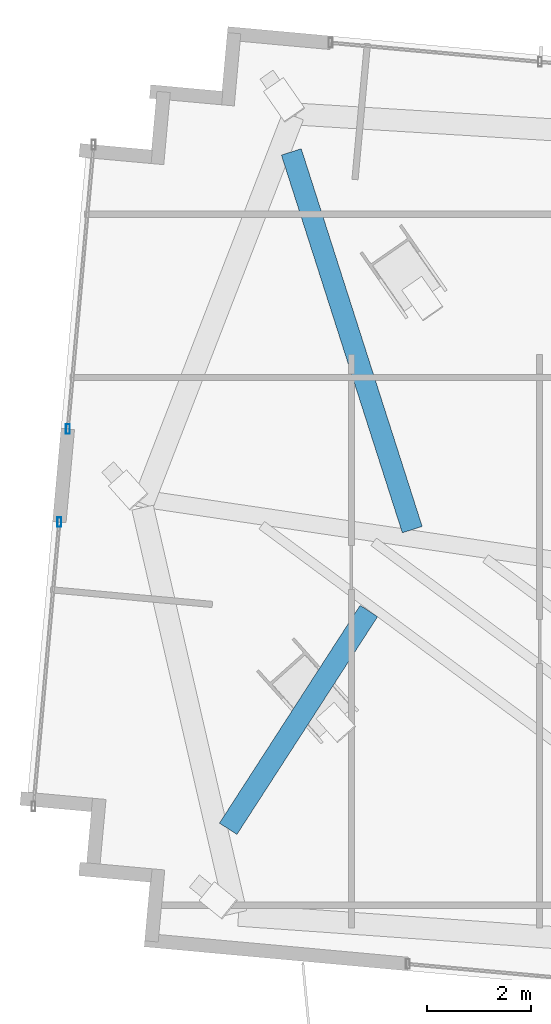
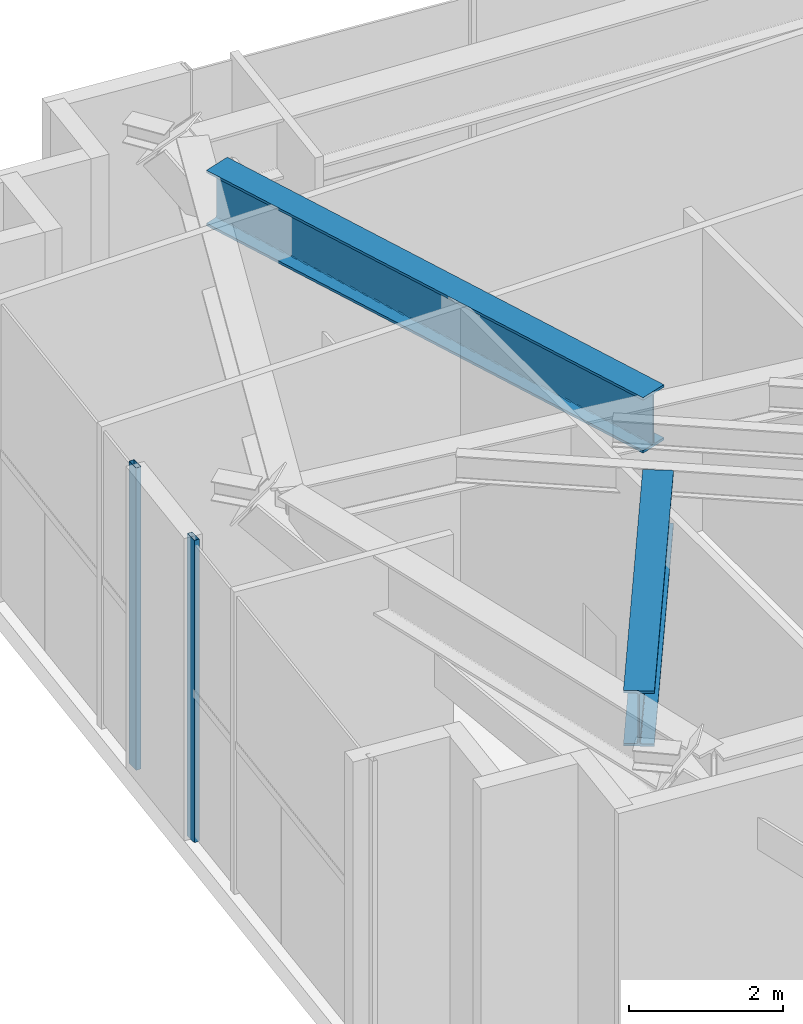
# One storey, part 4 of 20: 2 beams, 2 members, 2 elements without a shape of their own.
"""IFC4 building model written with IfcOpenShell, lengths in metres."""

from ifc_helpers import new_model, si_unit, direction, frame, origin, origin_2d, place, context, subcontext, project, spatial, hollow_rectangle, i_section, extrude, source, transform, mapped, material, material_profile, profile_set, type_object, type_shapes, element, aggregate, save


model = new_model("IFC4")

# Units and contexts
model_context = context("Model", 3, precision=1e-05, world=origin(), true_north=direction((0.0, 1.0)))
body_context = subcontext(model_context, "Body", "Model", "MODEL_VIEW")
ifc_project = project(units=[si_unit("LENGTHUNIT", "METRE"), si_unit("AREAUNIT", "SQUARE_METRE"), si_unit("VOLUMEUNIT", "CUBIC_METRE"), si_unit("PLANEANGLEUNIT", "RADIAN"), si_unit("MASSUNIT", "GRAM", prefix="KILO")], contexts=[model_context])

# Site, building, storey
site_placement = place(None, origin())
site = spatial("IfcSite", under=ifc_project, at=site_placement, CompositionType="ELEMENT")
building_placement = place(site_placement, origin())
building = spatial("IfcBuilding", under=site, at=building_placement, Name="Astriad Promenade Condominiums", CompositionType="ELEMENT")
storey_placement = place(building_placement, frame((0.0, 0.0, 211.39990234375)))
storey = spatial("IfcBuildingStorey", under=building, at=storey_placement, Name="L61", CompositionType="ELEMENT", Elevation=211.39990234375)

# Beams
ifc_material_1 = material(Name="Steel ASTM A992 Grade 50", Category="steel")
ifc_material_profile_1 = material_profile(ifc_material_1, i_section(OverallWidth=0.4013671875, OverallDepth=0.877197265625, WebThickness=0.022216796875, FlangeThickness=0.039794921875, FilletRadius=0.02294921875, at=origin_2d()), Name="W33X263")
ifc_profile_set_1 = profile_set([ifc_material_profile_1], Name="Steel ASTM A992 Grade 50")
beam_type = type_object("IfcBeamType", Name="STEEL TRANSFER CARRIER GIRDER W33X263", PredefinedType="BEAM", material=ifc_profile_set_1)
shared_shape_1 = source(origin(), body_context, "Body", "SweptSolid", [
    extrude(i_section(OverallWidth=0.4013671875, OverallDepth=0.877197265625, WebThickness=0.022216796875, FlangeThickness=0.039794921875, FilletRadius=0.02294921875, at=origin_2d()), origin(), (0.0, 0.0, 1.0), 4.99462890625),
])
beam_1_placement = place(storey_placement, frame((15.5078125, 17.499267578125, 4.341552734375), z_axis=(-0.542628908538, -0.8399725398, 0.0), x_axis=(0.8399725398, -0.542628908538, 0.0)))
element("IfcBeam", 1, at=beam_1_placement, inside=storey, type_object=beam_type, Name="Transfer Splice Carrier TRM-SP-PC01-L61", PredefinedType="BEAM", context=body_context, shape_type="MappedRepresentation", body=[
    mapped(shared_shape_1, transform((0.0, 0.0, 0.0), scale=1.0)),
])
shared_shape_2 = source(origin(), body_context, "Body", "SweptSolid", [
    extrude(i_section(OverallWidth=0.4013671875, OverallDepth=0.877197265625, WebThickness=0.022216796875, FlangeThickness=0.039794921875, FilletRadius=0.02294921875, at=origin_2d()), origin(), (0.0, 0.0, 1.0), 7.64111328125),
])
type_shapes(beam_type, [shared_shape_1, shared_shape_2])
beam_2_placement = place(storey_placement, frame((16.34375, 19.0673828125, 4.341552734375), z_axis=(-0.304904407727, 0.952382959816, 0.0), x_axis=(-0.952382959816, -0.304904407727, 0.0)))
element("IfcBeam", 2, at=beam_2_placement, inside=storey, type_object=beam_type, Name="Transfer Splice Carrier TRM-SP-PC06-L61", PredefinedType="BEAM", context=body_context, shape_type="MappedRepresentation", body=[
    mapped(shared_shape_2, transform((0.0, 0.0, 0.0), scale=1.0)),
])

# Curtain wall, member
ifc_material_2 = material(Name="Anodised aluminium Black Dark Glass Unitised", Category="aluminium")
curtain_wall_type = type_object("IfcCurtainWallType", Name="CW-B5-DARK", PredefinedType="USERDEFINED", material=ifc_material_2)
curtain_wall_1_placement = place(storey_placement, origin())
curtain_wall_1 = element("IfcCurtainWall", 3, at=curtain_wall_1_placement, inside=storey, type_object=curtain_wall_type, Name="CW-L61-W-1", ObjectType="UNITISED_CURTAIN_WALL", PredefinedType="USERDEFINED")
ifc_material_3 = material(Name="Anodised aluminium 6063-T6 Black", Category="aluminium")
ifc_material_profile_2 = material_profile(ifc_material_3, hollow_rectangle(XDim=0.074951171875, YDim=0.18505859375, WallThickness=0.00439453125, at=origin_2d()), Name="ALU-MUL-75X185")
ifc_profile_set_2 = profile_set([ifc_material_profile_2], Name="Anodised aluminium 6063-T6 Black")
member_type = type_object("IfcMemberType", Name="MUL-ALU-MUL-75X185", PredefinedType="MULLION", material=ifc_profile_set_2)
shared_shape_3 = source(origin(), body_context, "Body", "SweptSolid", [
    extrude(hollow_rectangle(XDim=0.074951171875, YDim=0.18505859375, WallThickness=0.00439453125, at=origin_2d()), origin(), (0.0, 0.0, 1.0), 4.780029296875),
])
type_shapes(member_type, [shared_shape_3])
member_1_placement = place(storey_placement, frame((9.544189453125, 19.212646484375, 0.0), z_axis=(0.0, 0.0, 1.0), x_axis=(1.0, 0.0, 0.0)))
member_1 = element("IfcMember", 4, at=member_1_placement, type_object=member_type, Name="CW-L61-W-1-MUL-01", PredefinedType="MULLION", context=body_context, shape_type="MappedRepresentation", body=[
    mapped(shared_shape_3, transform((0.0, 0.0, 0.0), scale=1.0)),
])
aggregate(curtain_wall_1, [member_1])

curtain_wall_2_placement = place(storey_placement, origin())
curtain_wall_2 = element("IfcCurtainWall", 5, at=curtain_wall_2_placement, inside=storey, type_object=curtain_wall_type, Name="CW-L61-W-2", ObjectType="UNITISED_CURTAIN_WALL", PredefinedType="USERDEFINED")
member_2_placement = place(storey_placement, frame((9.70751953125, 21.00537109375, 0.0), z_axis=(0.0, 0.0, 1.0), x_axis=(1.0, 0.0, 0.0)))
member_2 = element("IfcMember", 6, at=member_2_placement, type_object=member_type, Name="CW-L61-W-2-MUL-00", PredefinedType="MULLION", context=body_context, shape_type="MappedRepresentation", body=[
    mapped(shared_shape_3, transform((0.0, 0.0, 0.0), scale=1.0)),
])
aggregate(curtain_wall_2, [member_2])

save(model, "model.ifc")
